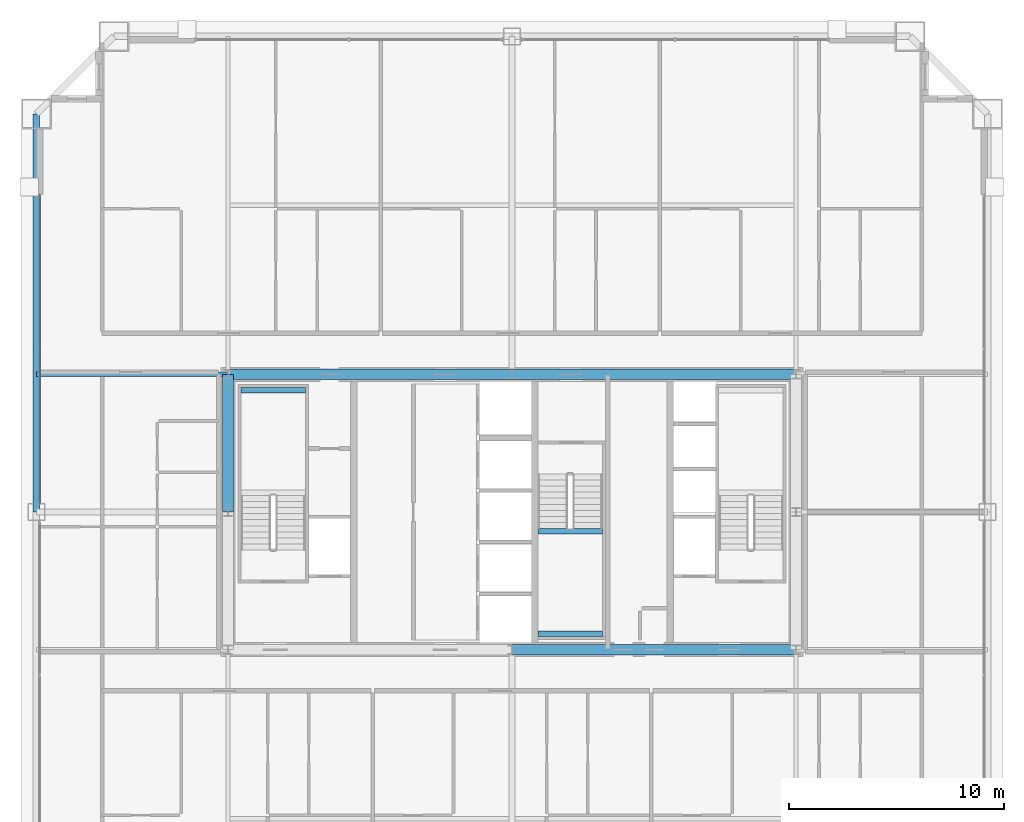
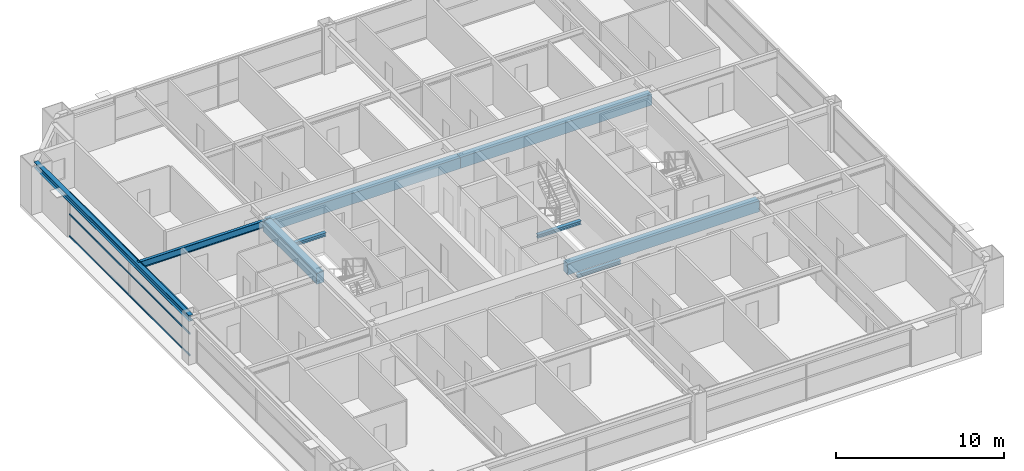
# One storey, part 15 of 38: 9 beams, 3 members, 1 element without a shape of its own.
"""IFC4 building model written with IfcOpenShell, lengths in metres."""

from ifc_helpers import new_model, si_unit, direction, frame, origin, origin_2d, place, context, subcontext, project, spatial, rectangle, hollow_rectangle, i_section, extrude, source, transform, mapped, material, layer, layer_set, material_profile, profile_set, type_object, element, aggregate, save


model = new_model("IFC4")

# Units and contexts
model_context = context("Model", 3, precision=1e-05, world=origin(), true_north=direction((0.0, 1.0)))
body_context = subcontext(model_context, "Body", "Model", "MODEL_VIEW")
ifc_project = project(units=[si_unit("LENGTHUNIT", "METRE"), si_unit("AREAUNIT", "SQUARE_METRE"), si_unit("VOLUMEUNIT", "CUBIC_METRE"), si_unit("PLANEANGLEUNIT", "RADIAN"), si_unit("MASSUNIT", "GRAM", prefix="KILO"), si_unit("THERMODYNAMICTEMPERATUREUNIT", "KELVIN"), si_unit("POWERUNIT", "WATT")], contexts=[model_context])

# Site, building, storey
site_placement = place(None, origin())
site = spatial("IfcSite", under=ifc_project, at=site_placement, CompositionType="ELEMENT")
building_placement = place(site_placement, origin())
building = spatial("IfcBuilding", under=site, at=building_placement, Name="Yuzanri Waterfront Tower", CompositionType="ELEMENT")
storey_placement = place(building_placement, frame((0.0, 0.0, 209.0)))
storey = spatial("IfcBuildingStorey", under=building, at=storey_placement, Name="L55", CompositionType="ELEMENT", Elevation=209.0)

# Beams
ifc_material_1 = material(Name="Steel Q355B", Category="steel")
ifc_material_profile_1 = material_profile(ifc_material_1, i_section(OverallWidth=0.300048828125, OverallDepth=0.43994140625, WebThickness=0.010986328125, FlangeThickness=0.01806640625, at=origin_2d()), Name="HM 440x300x11x18")
ifc_profile_set_1 = profile_set([ifc_material_profile_1], Name="Steel Q355B")
beam_type_1 = type_object("IfcBeamType", Name="Perimeter Spandrel Q355B HM 440x300", PredefinedType="SPANDREL", material=ifc_profile_set_1)
shared_shape_1 = source(origin(), body_context, "Body", "SweptSolid", [
    extrude(i_section(OverallWidth=0.300048828125, OverallDepth=0.43994140625, WebThickness=0.010986328125, FlangeThickness=0.01806640625, at=origin_2d()), origin(), (0.0, 0.0, 1.0), 18.5),
])
beam_1_placement = place(storey_placement, frame((14.89990234375, 44.300048828125, 3.06005859375), z_axis=(0.0, -1.0, 0.0), x_axis=(1.0, 0.0, 0.0)))
element("IfcBeam", 1, at=beam_1_placement, inside=storey, type_object=beam_type_1, Name="L55 Perimeter Spandrel W3-W2", PredefinedType="SPANDREL", context=body_context, shape_type="MappedRepresentation", body=[
    mapped(shared_shape_1, transform((0.0, 0.0, 0.0), scale=1.0)),
])
ifc_material_2 = material(Name="Steel Q355B", Category="steel")
ifc_material_profile_2 = material_profile(ifc_material_2, i_section(OverallWidth=0.199951171875, OverallDepth=0.5, WebThickness=0.010009765625, FlangeThickness=0.01611328125, at=origin_2d()), Name="HN 500x200x10x16")
ifc_profile_set_2 = profile_set([ifc_material_profile_2], Name="Steel Q355B")
beam_type_2 = type_object("IfcBeamType", Name="Secondary Floor Beam Q355B HN 500x200", PredefinedType="BEAM", material=ifc_profile_set_2)
shared_shape_2 = source(origin(), body_context, "Body", "SweptSolid", [
    extrude(i_section(OverallWidth=0.199951171875, OverallDepth=0.5, WebThickness=0.010009765625, FlangeThickness=0.01611328125, at=origin_2d()), origin(), (0.0, 0.0, 1.0), 8.900146484375),
])
beam_2_placement = place(storey_placement, frame((23.800048828125, 32.199951171875, 3.030029296875), z_axis=(-1.0, 0.0, 0.0), x_axis=(0.0, -1.0, 0.0)))
element("IfcBeam", 2, at=beam_2_placement, inside=storey, type_object=beam_type_2, Name="L55 West-North Core Line Beam", PredefinedType="BEAM", context=body_context, shape_type="MappedRepresentation", body=[
    mapped(shared_shape_2, transform((0.0, 0.0, 0.0), scale=1.0)),
])
ifc_material_3 = material(Name="Concrete C50", Category="concrete")
ifc_material_profile_3 = material_profile(ifc_material_3, rectangle(XDim=0.5, YDim=0.800048828125, at=origin_2d()), Name="RC 500x800")
ifc_profile_set_3 = profile_set([ifc_material_profile_3], Name="Concrete C50")
beam_type_3 = type_object("IfcBeamType", Name="Core Coupling Lintel Concrete C50 500x800", PredefinedType="LINTEL", material=ifc_profile_set_3)
shared_shape_3 = source(origin(), body_context, "Body", "SweptSolid", [
    extrude(rectangle(XDim=0.5, YDim=0.800048828125, at=origin_2d()), origin(), (0.0, 0.0, 1.0), 13.199951171875),
])
for number, where, z_axis, x_axis, name in (
    (3, (37.0, 19.39990234375, 2.8798828125), (1.0, 0.0, 0.0), (0.0, 1.0, 0.0), "L55 Core Tie Beam CS2"),
    (4, (23.800048828125, 32.199951171875, 2.8798828125), (1.0, 0.0, 0.0), (0.0, 1.0, 0.0), "L55 Core Tie Beam CN1"),
    (5, (37.0, 32.199951171875, 2.8798828125), (1.0, 0.0, 0.0), (0.0, 1.0, 0.0), "L55 Core Tie Beam CN2"),
):
    element("IfcBeam", number, at=place(storey_placement, frame(where, z_axis=z_axis, x_axis=x_axis)), inside=storey, type_object=beam_type_3, Name=name, PredefinedType="LINTEL", context=body_context, shape_type="MappedRepresentation", body=[
        mapped(shared_shape_3, transform((0.0, 0.0, 0.0), scale=1.0)),
    ])
shared_shape_4 = source(origin(), body_context, "Body", "SweptSolid", [
    extrude(rectangle(XDim=0.5, YDim=0.800048828125, at=origin_2d()), origin(), (0.0, 0.0, 1.0), 6.39990234375),
])
beam_3_placement = place(storey_placement, frame((23.800048828125, 25.800048828125, 2.8798828125), z_axis=(0.0, 1.0, 0.0), x_axis=(-1.0, 0.0, 0.0)))
element("IfcBeam", 6, at=beam_3_placement, inside=storey, type_object=beam_type_3, Name="L55 Core Tie Beam CW2", PredefinedType="LINTEL", context=body_context, shape_type="MappedRepresentation", body=[
    mapped(shared_shape_4, transform((0.0, 0.0, 0.0), scale=1.0)),
])

# Curtain wall, members
ifc_material_4 = material(Name="Anodized Architectural Bronze", Category="metal")
ifc_layer = layer(ifc_material_4, 0.159912109375)
ifc_layer_set = layer_set([ifc_layer], Name="Anodized Architectural Bronze")
curtain_wall_type = type_object("IfcCurtainWallType", Name="Anodized Bronze Mid-Rise Residential Acoustic Unitized Curtain Wall 7200", PredefinedType="NOTDEFINED", material=ifc_layer_set)
curtain_wall_placement = place(storey_placement, origin())
curtain_wall = element("IfcCurtainWall", 7, at=curtain_wall_placement, inside=storey, type_object=curtain_wall_type, Name="L55 Curtain Wall CW-L55-WR", PredefinedType="NOTDEFINED")
ifc_material_5 = material(Name="Anodized Architectural Bronze", Category="metal")
ifc_material_profile_4 = material_profile(ifc_material_5, hollow_rectangle(XDim=0.06494140625, YDim=0.1201171875, WallThickness=0.00341796875, at=origin_2d()), Name="CWT 65x120")
ifc_profile_set_4 = profile_set([ifc_material_profile_4], Name="Anodized Architectural Bronze")
member_type = type_object("IfcMemberType", Name="Anodized Bronze Secondary Curtain-Wall Transom 65x120", PredefinedType="USERDEFINED", material=ifc_profile_set_4)
shared_shape_5 = source(origin(), body_context, "Body", "SweptSolid", [
    extrude(hollow_rectangle(XDim=0.06494140625, YDim=0.1201171875, WallThickness=0.00341796875, at=origin_2d()), origin(), (0.0, 0.0, 1.0), 14.35009765625),
])
member_1_placement = place(storey_placement, frame((15.050048828125, 26.199951171875, 0.050048828125), z_axis=(0.0, 1.0, 0.0), x_axis=(-1.0, 0.0, 0.0)))
member_1 = element("IfcMember", 8, at=member_1_placement, type_object=member_type, Name="CW-L55-WR Transom 1", ObjectType="TRANSOM", PredefinedType="USERDEFINED", context=body_context, shape_type="MappedRepresentation", body=[
    mapped(shared_shape_5, transform((0.0, 0.0, 0.0), scale=1.0)),
])
member_2_placement = place(storey_placement, frame((15.050048828125, 26.199951171875, 1.639892578125), z_axis=(0.0, 1.0, 0.0), x_axis=(-1.0, 0.0, 0.0)))
member_2 = element("IfcMember", 9, at=member_2_placement, type_object=member_type, Name="CW-L55-WR Transom 2", ObjectType="TRANSOM", PredefinedType="USERDEFINED", context=body_context, shape_type="MappedRepresentation", body=[
    mapped(shared_shape_5, transform((0.0, 0.0, 0.0), scale=1.0)),
])
member_3_placement = place(storey_placement, frame((15.050048828125, 26.199951171875, 3.22998046875), z_axis=(0.0, 1.0, 0.0), x_axis=(-1.0, 0.0, 0.0)))
member_3 = element("IfcMember", 10, at=member_3_placement, type_object=member_type, Name="CW-L55-WR Transom 3", ObjectType="TRANSOM", PredefinedType="USERDEFINED", context=body_context, shape_type="MappedRepresentation", body=[
    mapped(shared_shape_5, transform((0.0, 0.0, 0.0), scale=1.0)),
])
aggregate(curtain_wall, [member_1, member_2, member_3])

# Beams
ifc_material_6 = material(Name="Steel Q355B", Category="steel")
ifc_material_profile_5 = material_profile(ifc_material_6, i_section(OverallWidth=0.25, OverallDepth=0.25, WebThickness=0.009033203125, FlangeThickness=0.013916015625, at=origin_2d()), Name="HW 250x250x9x14")
ifc_profile_set_5 = profile_set([ifc_material_profile_5], Name="Steel Q355B")
beam_type_4 = type_object("IfcBeamType", Name="Stair Landing Support Beam Q355B HW 250x250", PredefinedType="BEAM", material=ifc_profile_set_5)
shared_shape_6 = source(origin(), body_context, "Body", "SweptSolid", [
    extrude(i_section(OverallWidth=0.25, OverallDepth=0.25, WebThickness=0.009033203125, FlangeThickness=0.013916015625, at=origin_2d()), origin(), (0.0, 0.0, 1.0), 3.0),
])
for number, where, z_axis, x_axis, name in (
    (11, (24.39990234375, 31.449951171875, 1.425048828125), (1.0, 0.0, 0.0), (0.0, 1.0, 0.0), "L55 Stair Landing Support Beam ST-01-L55-L1-2"),
    (12, (38.199951171875, 20.14990234375, 1.425048828125), (1.0, 0.0, 0.0), (0.0, 1.0, 0.0), "L55 Stair Landing Support Beam ST-03-L55-L1-1"),
    (13, (38.199951171875, 24.909912109375, 1.425048828125), (1.0, 0.0, 0.0), (0.0, 1.0, 0.0), "L55 Stair Landing Support Beam ST-03-L55-L1-2"),
):
    element("IfcBeam", number, at=place(storey_placement, frame(where, z_axis=z_axis, x_axis=x_axis)), inside=storey, type_object=beam_type_4, Name=name, PredefinedType="BEAM", context=body_context, shape_type="MappedRepresentation", body=[
        mapped(shared_shape_6, transform((0.0, 0.0, 0.0), scale=1.0)),
    ])

save(model, "model.ifc")
